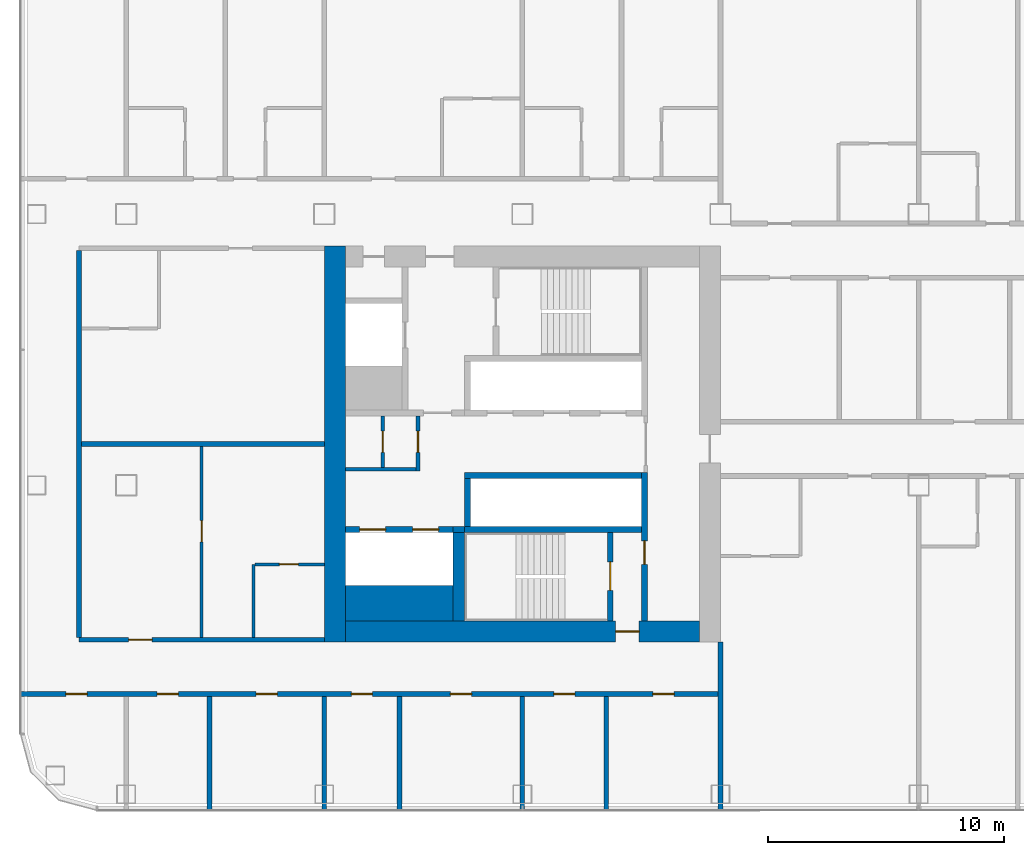
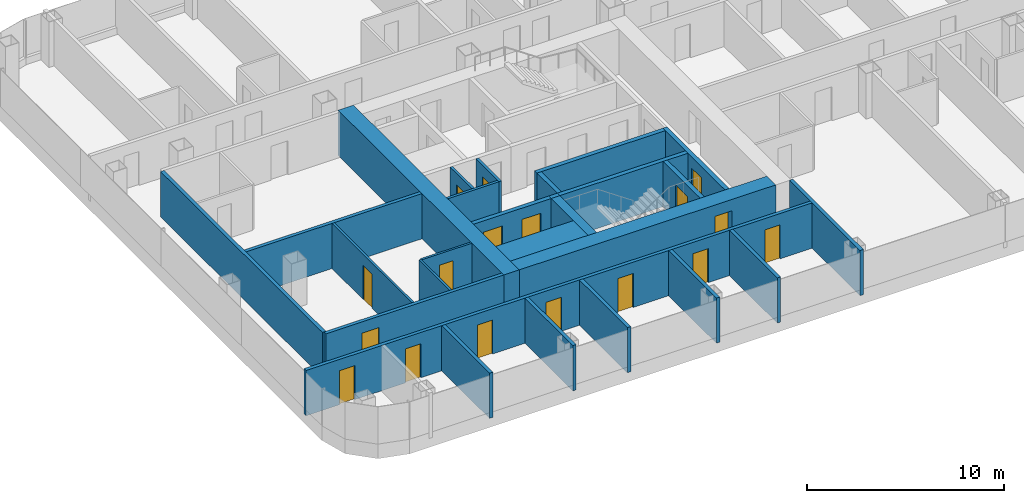
# One storey, part 15 of 29: 27 walls, 17 doors, 17 openings.
"""IFC4 building model written with IfcOpenShell, lengths in metres."""

import ifcopenshell
import ifcopenshell.guid

model = None  # the IFC model being written
_history = None  # IfcOwnerHistory: only IFC2X3 demands one
_inside = {}  # id of a spatial element -> (the spatial element, [elements in it])
_under = {}  # id of a project, library or spatial element -> (it, [spatial elements below it])
_declared = {}  # id of a project -> (the project, [libraries it declares])
_typed = {}  # id of a type object -> (the type object, [elements of that type])
_made_of = {}  # id of a material, layer set ... -> (it, [elements and type objects made of it])


def new_model(schema):
    """Start an empty IFC model of exactly this schema.

    Asked for "IFC4X3", IfcOpenShell would pick the latest addendum, in which some entities
    have other attributes; the version numbers below select the first issue.
    IFC2X3 requires an IfcOwnerHistory on every rooted entity: one is made here for all.
    """
    global model, _history
    if schema == "IFC4X3":
        model = ifcopenshell.file(schema_version=(4, 3, 0, 0))
    else:
        model = ifcopenshell.file(schema=schema)
    _inside.clear()
    _under.clear()
    _declared.clear()
    _typed.clear()
    _made_of.clear()
    _history = None
    if model.schema == "IFC2X3":
        org = make("IfcOrganization", Name="unknown")
        user = make(
            "IfcPersonAndOrganization",
            ThePerson=make("IfcPerson", FamilyName="unknown"),
            TheOrganization=org,
        )
        app = make(
            "IfcApplication",
            ApplicationDeveloper=org,
            Version="unknown",
            ApplicationFullName="unknown",
            ApplicationIdentifier="unknown",
        )
        _history = make(
            "IfcOwnerHistory",
            OwningUser=user,
            OwningApplication=app,
            ChangeAction="ADDED",
            CreationDate=0,
        )
    return model


def make(cls, **values):
    """One entity of the class cls with the attributes given. An attribute that is None is left unset."""
    return model.create_entity(
        cls, **{name: value for name, value in values.items() if value is not None}
    )


def rooted(cls, **values):
    """An entity with a GlobalId (a new one), such as an element, a storey or a relation."""
    return make(cls, GlobalId=ifcopenshell.guid.new(), OwnerHistory=_history, **values)


def si_unit(unit_type, name, prefix=None):
    """IfcSIUnit, for example si_unit("LENGTHUNIT", "METRE", prefix="MILLI")."""
    return make("IfcSIUnit", UnitType=unit_type, Prefix=prefix, Name=name)


def assignment(units):
    """IfcUnitAssignment: the units of a project."""
    return None if units is None else make("IfcUnitAssignment", Units=units)


def point(xyz):
    """IfcCartesianPoint."""
    return None if xyz is None else make("IfcCartesianPoint", Coordinates=xyz)


def direction(xyz):
    """IfcDirection."""
    return None if xyz is None else make("IfcDirection", DirectionRatios=xyz)


def frame(location, z_axis=None, x_axis=None):
    """IfcAxis2Placement3D, a coordinate frame: its origin and axes. An axis left out is left unset."""
    return make(
        "IfcAxis2Placement3D",
        Location=point(location),
        Axis=direction(z_axis),
        RefDirection=direction(x_axis),
    )


def frame_2d(location, x_axis=None):
    """IfcAxis2Placement2D, a coordinate frame in the plane: its origin and x axis."""
    return make(
        "IfcAxis2Placement2D", Location=point(location), RefDirection=direction(x_axis)
    )


def origin():
    """The frame at (0, 0, 0) with its axes left unset."""
    return frame((0.0, 0.0, 0.0))


def place(relative_to, where):
    """IfcLocalPlacement: puts the frame where relative to a parent placement (None: the world)."""
    return make(
        "IfcLocalPlacement", PlacementRelTo=relative_to, RelativePlacement=where
    )


def context(
    kind, dimensions, precision=None, world=None, true_north=None, identifier=None
):
    """IfcGeometricRepresentationContext, for example the 3D "Model" context."""
    return make(
        "IfcGeometricRepresentationContext",
        ContextIdentifier=identifier,
        ContextType=kind,
        CoordinateSpaceDimension=dimensions,
        Precision=precision,
        WorldCoordinateSystem=world,
        TrueNorth=true_north,
    )


def subcontext(parent, identifier, kind, view, scale=None):
    """IfcGeometricRepresentationSubContext, for example "Body" below "Model"."""
    return make(
        "IfcGeometricRepresentationSubContext",
        ContextIdentifier=identifier,
        ContextType=kind,
        ParentContext=parent,
        TargetScale=scale,
        TargetView=view,
    )


def project(units=None, contexts=None):
    """IfcProject with its units and contexts."""
    return rooted(
        "IfcProject",
        Name="project",
        RepresentationContexts=contexts,
        UnitsInContext=assignment(units),
    )


def spatial(cls, under=None, at=None, **own):
    """A site, building, storey or space (cls), placed at a placement, below another one or the project."""
    s = rooted(cls, ObjectPlacement=at, **own)
    if under is not None:
        _under.setdefault(under.id(), (under, []))[1].append(s)
    return s


def profile(cls, at=None, kind="AREA", **sizes):
    """A parametric profile (cls). Its sizes go by their IFC names, for example OverallWidth=200.0."""
    return make(cls, ProfileType=kind, Position=at, **sizes)


def rectangle(**sizes):
    """IfcRectangleProfileDef."""
    return profile("IfcRectangleProfileDef", **sizes)


def extrude(swept, where, along, depth):
    """IfcExtrudedAreaSolid: the profile swept, set in the frame where, extruded along a direction by depth."""
    return make(
        "IfcExtrudedAreaSolid",
        SweptArea=swept,
        Position=where,
        ExtrudedDirection=direction(along),
        Depth=depth,
    )


def shape(context_of_items, identifier, shape_type, items):
    """IfcShapeRepresentation: the items that make up one representation, for example the "Body"."""
    return make(
        "IfcShapeRepresentation",
        ContextOfItems=context_of_items,
        RepresentationIdentifier=identifier,
        RepresentationType=shape_type,
        Items=items,
    )


def material(Name=None, Category=None):
    """IfcMaterial."""
    return make("IfcMaterial", Name=Name, Category=Category)


def layer(
    of_material, thickness, ventilated=None, Name=None, Category=None, Priority=None
):
    """IfcMaterialLayer: one layer of a wall or slab, of a material (None: an air gap)."""
    return make(
        "IfcMaterialLayer",
        Material=of_material,
        LayerThickness=thickness,
        IsVentilated=ventilated,
        Name=Name,
        Category=Category,
        Priority=Priority,
    )


def layer_set(layers, Name=None):
    """IfcMaterialLayerSet."""
    return make("IfcMaterialLayerSet", MaterialLayers=layers, LayerSetName=Name)


def made_of(thing, what):
    """Note that an element or type object is made of a material, layer set ...; save() writes the relation."""
    if what is not None:
        _made_of.setdefault(what.id(), (what, []))[1].append(thing)
    return thing


def type_object(cls, material=None, **own):
    """A type object (cls), such as IfcWallType, which elements share."""
    return made_of(rooted(cls, **own), material)


def element(
    cls,
    number,
    at=None,
    inside=None,
    cuts=None,
    type_object=None,
    material=None,
    context=None,
    identifier="Body",
    shape_type=None,
    held_by="IfcProductDefinitionShape",
    body=None,
    shapes=None,
    **own,
):
    """One element of the class cls, such as IfcWall. Its Tag is "e" and its number.

    at: its placement. inside: the storey or other place that contains it. cuts: it is an
    opening in that element (IfcRelVoidsElement). A single representation is given by context,
    identifier, shape_type and body (its items); several are given by shapes. held_by: the class
    of the entity that holds the representations. save() writes the other relations.
    """
    e = rooted(cls, Tag="e%d" % number, ObjectPlacement=at, **own)
    if body is not None:
        shapes = [shape(context, identifier, shape_type, body)]
    if shapes is not None:
        e.Representation = make(held_by, Representations=shapes)
    if inside is not None:
        _inside.setdefault(inside.id(), (inside, []))[1].append(e)
    if cuts is not None:
        rooted(
            "IfcRelVoidsElement", RelatingBuildingElement=cuts, RelatedOpeningElement=e
        )
    if type_object is not None:
        _typed.setdefault(type_object.id(), (type_object, []))[1].append(e)
    return made_of(e, material)


def fill(opening, filler):
    """IfcRelFillsElement: the door or window that sits in an opening."""
    return rooted(
        "IfcRelFillsElement",
        RelatingOpeningElement=opening,
        RelatedBuildingElement=filler,
    )


def aggregate(whole, parts):
    """IfcRelAggregates: a whole, such as a stair, and the parts it consists of."""
    return rooted("IfcRelAggregates", RelatingObject=whole, RelatedObjects=parts)


def save(model, path):
    """Write the relations noted so far, then the file.

    IfcRelAggregates (storeys below a building ...), IfcRelContainedInSpatialStructure (elements
    in a storey), IfcRelDefinesByType, IfcRelAssociatesMaterial and IfcRelDeclares: one each for
    every whole, place, type object, material and project.
    """
    for whole, parts in _under.values():
        aggregate(whole, parts)
    for where, things in _inside.values():
        rooted(
            "IfcRelContainedInSpatialStructure",
            RelatedElements=things,
            RelatingStructure=where,
        )
    for kind, things in _typed.values():
        rooted("IfcRelDefinesByType", RelatedObjects=things, RelatingType=kind)
    for what, things in _made_of.values():
        rooted("IfcRelAssociatesMaterial", RelatedObjects=things, RelatingMaterial=what)
    for by, libraries in _declared.values():
        rooted("IfcRelDeclares", RelatingContext=by, RelatedDefinitions=libraries)
    model.write(path)


model = new_model("IFC4")

# Units and contexts
model_context = context("Model", 3, precision=1e-05, world=origin(), true_north=direction((0.0, 1.0)))
body_context = subcontext(model_context, "Body", "Model", "MODEL_VIEW")
ifc_project = project(units=[si_unit("LENGTHUNIT", "METRE"), si_unit("AREAUNIT", "SQUARE_METRE"), si_unit("VOLUMEUNIT", "CUBIC_METRE"), si_unit("PLANEANGLEUNIT", "RADIAN"), si_unit("MASSUNIT", "GRAM", prefix="KILO")], contexts=[model_context])

# Site, building, storey
site_placement = place(None, origin())
site = spatial("IfcSite", under=ifc_project, at=site_placement, CompositionType="ELEMENT")
building_placement = place(site_placement, origin())
building = spatial("IfcBuilding", under=site, at=building_placement, Name="Hakoniwa Tower and Hamabe Station Hall", CompositionType="ELEMENT")
storey_placement = place(building_placement, frame((0.0, 0.0, 97.800048828125)))
storey = spatial("IfcBuildingStorey", under=building, at=storey_placement, Name="L27", CompositionType="ELEMENT", Elevation=97.800048828125)

# Wall, opening, door
ifc_material_1 = material(Name="Gypsum board partition", Category="gypsum")
ifc_layer_1 = layer(ifc_material_1, 0.125)
ifc_layer_set_1 = layer_set([ifc_layer_1], Name="Bathroom Partition 125")
wall_type_1 = type_object("IfcWallType", Name="Bathroom Partition 125", PredefinedType="PARTITIONING", material=ifc_layer_set_1)
wall_1_placement = place(storey_placement, frame((-36.53759765625, -5.10009765625, 0.0), z_axis=(0.0, 0.0, 1.0), x_axis=(1.0, 0.0, 0.0)))
wall_1 = element("IfcWall", 1, at=wall_1_placement, inside=storey, type_object=wall_type_1, Name="GW-L27-005", PredefinedType="PARTITIONING", context=body_context, shape_type="SweptSolid", body=[
    extrude(rectangle(XDim=2.9375, YDim=0.125, at=frame_2d((1.46875, 0.0))), origin(), (0.0, 0.0, 1.0), 2.800048828125),
])
opening_1_placement = place(wall_1_placement, frame((1.03759765625, 0.0, 0.0)))
opening_1 = element("IfcOpeningElement", 2, at=opening_1_placement, cuts=wall_1, Name="Opening GD-G2C1-17", PredefinedType="OPENING", context=body_context, shape_type="SweptSolid", body=[
    extrude(rectangle(XDim=0.800048828125, YDim=2.10009765625, at=frame_2d((0.39990234375, 1.050048828125))), frame((0.0, 0.072509765625, 0.0), z_axis=(0.0, -1.0, 0.0), x_axis=(1.0, 0.0, 0.0)), (0.0, 0.0, 1.0), 0.14501953125),
])
ifc_material_2 = material(Name="Timber door leaf", Category="wood")
door_type_1 = type_object("IfcDoorType", Name="Bathroom Door 800", OperationType="SINGLE_SWING_LEFT", PredefinedType="DOOR", material=ifc_material_2)
door_1_placement = place(opening_1_placement, origin())
door_1 = element("IfcDoor", 3, at=door_1_placement, inside=storey, type_object=door_type_1, Name="Door GD-G2C1-17", OperationType="SINGLE_SWING_LEFT", OverallHeight=2.10009765625, OverallWidth=0.800048828125, PredefinedType="DOOR", context=body_context, shape_type="SweptSolid", body=[
    extrude(rectangle(XDim=0.800048828125, YDim=2.10009765625, at=frame_2d((0.39990234375, 1.050048828125))), frame((0.0, 0.02490234375, 0.0), z_axis=(0.0, -1.0, 0.0), x_axis=(1.0, 0.0, 0.0)), (0.0, 0.0, 1.0), 0.050048828125),
])
fill(opening_1, door_1)

# Wall
wall_2_placement = place(storey_placement, frame((-36.60009765625, -8.199951171875, 0.0), z_axis=(0.0, 0.0, 1.0), x_axis=(0.0, 1.0, 0.0)))
element("IfcWall", 4, at=wall_2_placement, inside=storey, type_object=wall_type_1, Name="GW-L27-044", PredefinedType="PARTITIONING", context=body_context, shape_type="SweptSolid", body=[
    extrude(rectangle(XDim=3.099853515625, YDim=0.125, at=frame_2d((1.5498046875, 0.0))), origin(), (0.0, 0.0, 1.0), 2.800048828125),
])

# Wall, opening, door
ifc_material_3 = material(Name="Gypsum board partition")
ifc_layer_2 = layer(ifc_material_3, 0.14990234375)
ifc_layer_set_2 = layer_set([ifc_layer_2], Name="CORE PARTITION 150 EI 60")
wall_type_2 = type_object("IfcWallType", Name="CORE PARTITION 150 EI 60", PredefinedType="PARTITIONING", material=ifc_layer_set_2)
wall_3_placement = place(storey_placement, frame((-29.625, -1.14990234375, 0.0), z_axis=(0.0, 0.0, 1.0), x_axis=(0.0, 1.0, 0.0)))
wall_3 = element("IfcWall", 5, at=wall_3_placement, inside=storey, type_object=wall_type_2, Name="Core partition PW0 west", PredefinedType="PARTITIONING", context=body_context, shape_type="SweptSolid", body=[
    extrude(rectangle(XDim=2.349853515625, YDim=0.14990234375, at=frame_2d((1.1748046875, 0.0))), origin(), (0.0, 0.0, 1.0), 2.800048828125),
])
opening_2_placement = place(wall_3_placement, frame((0.800048828125, 0.0, 0.0)))
opening_2 = element("IfcOpeningElement", 6, at=opening_2_placement, cuts=wall_3, Name="Opening CD-W-RM1-9", PredefinedType="OPENING", context=body_context, shape_type="SweptSolid", body=[
    extrude(rectangle(XDim=0.89990234375, YDim=2.10009765625, at=frame_2d((0.449951171875, 1.050048828125))), frame((0.0, 0.0849609375, 0.0), z_axis=(0.0, -1.0, 0.0), x_axis=(1.0, 0.0, 0.0)), (0.0, 0.0, 1.0), 0.169921875),
])
ifc_material_4 = material(Name="Steel fire door", Category="steel")
door_type_2 = type_object("IfcDoorType", Name="CORE DOOR 900 FD30", OperationType="NOTDEFINED", PredefinedType="DOOR", material=ifc_material_4)
door_2_placement = place(opening_2_placement, origin())
door_2 = element("IfcDoor", 7, at=door_2_placement, inside=storey, type_object=door_type_2, Name="Store room door", OperationType="SINGLE_SWING_LEFT", OverallHeight=2.10009765625, OverallWidth=0.89990234375, PredefinedType="DOOR", context=body_context, shape_type="SweptSolid", body=[
    extrude(rectangle(XDim=0.89990234375, YDim=2.10009765625, at=frame_2d((0.449951171875, 1.050048828125))), frame((0.0, 0.02490234375, 0.0), z_axis=(0.0, -1.0, 0.0), x_axis=(1.0, 0.0, 0.0)), (0.0, 0.0, 1.0), 0.050048828125),
])
fill(opening_2, door_2)

# Wall
wall_4_placement = place(storey_placement, frame((-32.699951171875, -1.074951171875, 0.0), z_axis=(0.0, 0.0, 1.0), x_axis=(1.0, 0.0, 0.0)))
element("IfcWall", 8, at=wall_4_placement, inside=storey, type_object=wall_type_2, Name="Core partition PS west", PredefinedType="PARTITIONING", context=body_context, shape_type="SweptSolid", body=[
    extrude(rectangle(XDim=3.0, YDim=0.14990234375, at=frame_2d((1.5, 0.0))), origin(), (0.0, 0.0, 1.0), 2.800048828125),
])

# Wall, opening, door
wall_5_placement = place(storey_placement, frame((-31.125, -1.0, 0.0), z_axis=(0.0, 0.0, 1.0), x_axis=(0.0, 1.0, 0.0)))
wall_5 = element("IfcWall", 9, at=wall_5_placement, inside=storey, type_object=wall_type_2, Name="Core partition PW1 west", PredefinedType="PARTITIONING", context=body_context, shape_type="SweptSolid", body=[
    extrude(rectangle(XDim=2.199951171875, YDim=0.14990234375, at=frame_2d((1.10009765625, 0.0))), origin(), (0.0, 0.0, 1.0), 2.800048828125),
])
opening_3_placement = place(wall_5_placement, frame((0.64990234375, 0.0, 0.0)))
opening_3 = element("IfcOpeningElement", 10, at=opening_3_placement, cuts=wall_5, Name="Opening CD-W-RM2-9", PredefinedType="OPENING", context=body_context, shape_type="SweptSolid", body=[
    extrude(rectangle(XDim=0.89990234375, YDim=2.10009765625, at=frame_2d((0.449951171875, 1.050048828125))), frame((0.0, 0.0849609375, 0.0), z_axis=(0.0, -1.0, 0.0), x_axis=(1.0, 0.0, 0.0)), (0.0, 0.0, 1.0), 0.169921875),
])
door_3_placement = place(opening_3_placement, origin())
door_3 = element("IfcDoor", 11, at=door_3_placement, inside=storey, type_object=door_type_2, Name="Store room door", OperationType="SINGLE_SWING_LEFT", OverallHeight=2.10009765625, OverallWidth=0.89990234375, PredefinedType="DOOR", context=body_context, shape_type="SweptSolid", body=[
    extrude(rectangle(XDim=0.89990234375, YDim=2.10009765625, at=frame_2d((0.449951171875, 1.050048828125))), frame((0.0, 0.02490234375, 0.0), z_axis=(0.0, -1.0, 0.0), x_axis=(1.0, 0.0, 0.0)), (0.0, 0.0, 1.0), 0.050048828125),
])
fill(opening_3, door_3)

# Wall
ifc_material_5 = material(Name="Concrete C72", Category="concrete")
ifc_layer_3 = layer(ifc_material_5, 0.89990234375)
ifc_layer_set_3 = layer_set([ifc_layer_3], Name="CORE WALL 900 C72")
wall_type_3 = type_object("IfcWallType", Name="CORE WALL 900 C72", PredefinedType="SHEAR", material=ifc_layer_set_3)
wall_6_placement = place(storey_placement, frame((-33.14990234375, -8.39990234375, 0.0), z_axis=(0.0, 0.0, 1.0), x_axis=(0.0, 1.0, 0.0)))
element("IfcWall", 12, at=wall_6_placement, inside=storey, type_object=wall_type_3, Name="Core wall OUTER west", PredefinedType="SHEAR", context=body_context, shape_type="SweptSolid", body=[
    extrude(rectangle(XDim=16.7998046875, YDim=0.89990234375, at=frame_2d((8.39990234375, 0.0))), origin(), (0.0, 0.0, 1.0), 2.800048828125),
])

# Wall, opening, door
wall_7_placement = place(storey_placement, frame((-32.699951171875, -7.949951171875, 0.0), z_axis=(0.0, 0.0, 1.0), x_axis=(1.0, 0.0, 0.0)))
wall_7 = element("IfcWall", 13, at=wall_7_placement, inside=storey, type_object=wall_type_3, Name="Core wall SOUTH west", PredefinedType="SHEAR", context=body_context, shape_type="SweptSolid", body=[
    extrude(rectangle(XDim=15.0, YDim=0.89990234375, at=frame_2d((7.5, 0.0))), origin(), (0.0, 0.0, 1.0), 2.800048828125),
])
opening_4_placement = place(wall_7_placement, frame((11.449951171875, 0.0, 0.0)))
opening_4 = element("IfcOpeningElement", 14, at=opening_4_placement, cuts=wall_7, Name="Opening CD-W-FS3-10", PredefinedType="OPENING", context=body_context, shape_type="SweptSolid", body=[
    extrude(rectangle(XDim=1.0, YDim=2.10009765625, at=frame_2d((0.5, 1.050048828125))), frame((0.0, 0.4599609375, 0.0), z_axis=(0.0, -1.0, 0.0), x_axis=(1.0, 0.0, 0.0)), (0.0, 0.0, 1.0), 0.919921875),
])
ifc_material_6 = material(Name="Steel fire door", Category="steel")
door_type_3 = type_object("IfcDoorType", Name="CORE DOOR 1000 FD60", OperationType="NOTDEFINED", PredefinedType="DOOR", material=ifc_material_6)
door_4_placement = place(opening_4_placement, origin())
door_4 = element("IfcDoor", 15, at=door_4_placement, inside=storey, type_object=door_type_3, Name="Stair vestibule door", OperationType="SINGLE_SWING_LEFT", OverallHeight=2.10009765625, OverallWidth=1.0, PredefinedType="DOOR", context=body_context, shape_type="SweptSolid", body=[
    extrude(rectangle(XDim=1.0, YDim=2.10009765625, at=frame_2d((0.5, 1.050048828125))), frame((0.0, 0.02490234375, 0.0), z_axis=(0.0, -1.0, 0.0), x_axis=(1.0, 0.0, 0.0)), (0.0, 0.0, 1.0), 0.050048828125),
])
fill(opening_4, door_4)

# Wall
ifc_material_7 = material(Name="Concrete C72", Category="concrete")
ifc_layer_4 = layer(ifc_material_7, 1.5)
ifc_layer_set_4 = layer_set([ifc_layer_4], Name="CORE WEB WALL 1500 C72")
wall_type_4 = type_object("IfcWallType", Name="CORE WEB WALL 1500 C72", PredefinedType="SHEAR", material=ifc_layer_set_4)
wall_8_placement = place(storey_placement, frame((-32.699951171875, -6.75, 0.0), z_axis=(0.0, 0.0, 1.0), x_axis=(1.0, 0.0, 0.0)))
element("IfcWall", 16, at=wall_8_placement, inside=storey, type_object=wall_type_4, Name="Core wall SER west", PredefinedType="SHEAR", context=body_context, shape_type="SweptSolid", body=[
    extrude(rectangle(XDim=4.550048828125, YDim=1.5, at=frame_2d((2.27490234375, 0.0))), origin(), (0.0, 0.0, 1.0), 2.800048828125),
])

# Wall, opening, door
ifc_material_8 = material(Name="Concrete C72", Category="concrete")
ifc_layer_5 = layer(ifc_material_8, 0.25)
ifc_layer_set_5 = layer_set([ifc_layer_5], Name="CORE WEB WALL 250 C72")
wall_type_5 = type_object("IfcWallType", Name="CORE WEB WALL 250 C72", PredefinedType="SHEAR", material=ifc_layer_set_5)
wall_9_placement = place(storey_placement, frame((-20.02490234375, -7.5, 0.0), z_axis=(0.0, 0.0, 1.0), x_axis=(0.0, 1.0, 0.0)))
wall_9 = element("IfcWall", 17, at=wall_9_placement, inside=storey, type_object=wall_type_5, Name="Core wall W1S west", PredefinedType="SHEAR", context=body_context, shape_type="SweptSolid", body=[
    extrude(rectangle(XDim=6.300048828125, YDim=0.25, at=frame_2d((3.14990234375, 0.0))), origin(), (0.0, 0.0, 1.0), 2.800048828125),
])
opening_5_placement = place(wall_9_placement, frame((2.39990234375, 0.0, 0.0)))
opening_5 = element("IfcOpeningElement", 18, at=opening_5_placement, cuts=wall_9, Name="Opening CD-W-VS-10", PredefinedType="OPENING", context=body_context, shape_type="SweptSolid", body=[
    extrude(rectangle(XDim=1.0, YDim=2.10009765625, at=frame_2d((0.5, 1.050048828125))), frame((0.0, 0.135009765625, 0.0), z_axis=(0.0, -1.0, 0.0), x_axis=(1.0, 0.0, 0.0)), (0.0, 0.0, 1.0), 0.27001953125),
])
door_5_placement = place(opening_5_placement, origin())
door_5 = element("IfcDoor", 19, at=door_5_placement, inside=storey, type_object=door_type_3, Name="Stair vestibule door", OperationType="SINGLE_SWING_LEFT", OverallHeight=2.10009765625, OverallWidth=1.0, PredefinedType="DOOR", context=body_context, shape_type="SweptSolid", body=[
    extrude(rectangle(XDim=1.0, YDim=2.10009765625, at=frame_2d((0.5, 1.050048828125))), frame((0.0, 0.02490234375, 0.0), z_axis=(0.0, -1.0, 0.0), x_axis=(1.0, 0.0, 0.0)), (0.0, 0.0, 1.0), 0.050048828125),
])
fill(opening_5, door_5)

# Walls
wall_10_placement = place(storey_placement, frame((-27.64990234375, -1.324951171875, 0.0), z_axis=(0.0, 0.0, 1.0), x_axis=(1.0, 0.0, 0.0)))
element("IfcWall", 20, at=wall_10_placement, inside=storey, type_object=wall_type_5, Name="Core wall SF west", PredefinedType="SHEAR", context=body_context, shape_type="SweptSolid", body=[
    extrude(rectangle(XDim=7.5, YDim=0.25, at=frame_2d((3.75, 0.0))), origin(), (0.0, 0.0, 1.0), 2.800048828125),
])
wall_11_placement = place(storey_placement, frame((-27.52490234375, -3.5, 0.0), z_axis=(0.0, 0.0, 1.0), x_axis=(0.0, 1.0, 0.0)))
element("IfcWall", 21, at=wall_11_placement, inside=storey, type_object=wall_type_5, Name="Core wall SE west", PredefinedType="SHEAR", context=body_context, shape_type="SweptSolid", body=[
    extrude(rectangle(XDim=2.050048828125, YDim=0.25, at=frame_2d((1.02490234375, 0.0))), origin(), (0.0, 0.0, 1.0), 2.800048828125),
])
wall_12_placement = place(storey_placement, frame((-27.64990234375, -3.625, 0.0), z_axis=(0.0, 0.0, 1.0), x_axis=(1.0, 0.0, 0.0)))
element("IfcWall", 22, at=wall_12_placement, inside=storey, type_object=wall_type_5, Name="Core wall SR west", PredefinedType="SHEAR", context=body_context, shape_type="SweptSolid", body=[
    extrude(rectangle(XDim=7.5, YDim=0.25, at=frame_2d((3.75, 0.0))), origin(), (0.0, 0.0, 1.0), 2.800048828125),
])

# Wall, opening, door
wall_13_placement = place(storey_placement, frame((-21.47509765625, -7.5, 0.0), z_axis=(0.0, 0.0, 1.0), x_axis=(0.0, 1.0, 0.0)))
wall_13 = element("IfcWall", 23, at=wall_13_placement, inside=storey, type_object=wall_type_5, Name="Core wall VE west", PredefinedType="SHEAR", context=body_context, shape_type="SweptSolid", body=[
    extrude(rectangle(XDim=3.75, YDim=0.25, at=frame_2d((1.875, 0.0))), origin(), (0.0, 0.0, 1.0), 2.800048828125),
])
opening_6_placement = place(wall_13_placement, frame((1.300048828125, 0.0, 0.0)))
opening_6 = element("IfcOpeningElement", 24, at=opening_6_placement, cuts=wall_13, Name="Opening CD-W-SS-12", PredefinedType="OPENING", context=body_context, shape_type="SweptSolid", body=[
    extrude(rectangle(XDim=1.199951171875, YDim=2.10009765625, at=frame_2d((0.60009765625, 1.050048828125))), frame((0.0, 0.135009765625, 0.0), z_axis=(0.0, -1.0, 0.0), x_axis=(1.0, 0.0, 0.0)), (0.0, 0.0, 1.0), 0.27001953125),
])
ifc_material_9 = material(Name="Steel fire door", Category="steel")
door_type_4 = type_object("IfcDoorType", Name="CORE DOOR 1200 FD60", OperationType="DOUBLE_DOOR_SINGLE_SWING", PredefinedType="DOOR", material=ifc_material_9)
door_6_placement = place(opening_6_placement, origin())
door_6 = element("IfcDoor", 25, at=door_6_placement, inside=storey, type_object=door_type_4, Name="Escape stair door", OperationType="DOUBLE_DOOR_SINGLE_SWING", OverallHeight=2.10009765625, OverallWidth=1.199951171875, PredefinedType="DOOR", context=body_context, shape_type="SweptSolid", body=[
    extrude(rectangle(XDim=1.199951171875, YDim=2.10009765625, at=frame_2d((0.60009765625, 1.050048828125))), frame((0.0, 0.02490234375, 0.0), z_axis=(0.0, -1.0, 0.0), x_axis=(1.0, 0.0, 0.0)), (0.0, 0.0, 1.0), 0.050048828125),
])
fill(opening_6, door_6)

# Wall, openings, doors
wall_14_placement = place(storey_placement, frame((-32.699951171875, -3.625, 0.0), z_axis=(0.0, 0.0, 1.0), x_axis=(1.0, 0.0, 0.0)))
wall_14 = element("IfcWall", 26, at=wall_14_placement, inside=storey, type_object=wall_type_5, Name="Core wall SEF west", PredefinedType="SHEAR", context=body_context, shape_type="SweptSolid", body=[
    extrude(rectangle(XDim=4.550048828125, YDim=0.25, at=frame_2d((2.27490234375, 0.0))), origin(), (0.0, 0.0, 1.0), 2.800048828125),
])
opening_7_placement = place(wall_14_placement, frame((2.85009765625, 0.0, 0.0)))
opening_7 = element("IfcOpeningElement", 27, at=opening_7_placement, cuts=wall_14, Name="Opening LD-SV1", PredefinedType="OPENING", context=body_context, shape_type="SweptSolid", body=[
    extrude(rectangle(XDim=1.10009765625, YDim=2.10009765625, at=frame_2d((0.550048828125, 1.050048828125))), frame((0.0, 0.135009765625, 0.0), z_axis=(0.0, -1.0, 0.0), x_axis=(1.0, 0.0, 0.0)), (0.0, 0.0, 1.0), 0.27001953125),
])
opening_8_placement = place(wall_14_placement, frame((0.60009765625, 0.0, 0.0)))
opening_8 = element("IfcOpeningElement", 28, at=opening_8_placement, cuts=wall_14, Name="Opening LD-SV2", PredefinedType="OPENING", context=body_context, shape_type="SweptSolid", body=[
    extrude(rectangle(XDim=1.10009765625, YDim=2.10009765625, at=frame_2d((0.550048828125, 1.050048828125))), frame((0.0, 0.135009765625, 0.0), z_axis=(0.0, -1.0, 0.0), x_axis=(1.0, 0.0, 0.0)), (0.0, 0.0, 1.0), 0.27001953125),
])
ifc_material_10 = material(Name="Stainless steel SUS304", Category="steel")
door_type_5 = type_object("IfcDoorType", Name="LIFT LANDING DOOR 1100 FD60", OperationType="DOUBLE_DOOR_SLIDING", PredefinedType="DOOR", material=ifc_material_10)
door_7_placement = place(opening_7_placement, origin())
door_7 = element("IfcDoor", 29, at=door_7_placement, inside=storey, type_object=door_type_5, Name="Lift landing door SV1 L27", OperationType="DOUBLE_DOOR_SLIDING", OverallHeight=2.10009765625, OverallWidth=1.10009765625, PredefinedType="DOOR", context=body_context, shape_type="SweptSolid", body=[
    extrude(rectangle(XDim=1.10009765625, YDim=2.10009765625, at=frame_2d((0.550048828125, 1.050048828125))), frame((0.0, 0.02490234375, 0.0), z_axis=(0.0, -1.0, 0.0), x_axis=(1.0, 0.0, 0.0)), (0.0, 0.0, 1.0), 0.050048828125),
])
fill(opening_7, door_7)
door_8_placement = place(opening_8_placement, origin())
door_8 = element("IfcDoor", 30, at=door_8_placement, inside=storey, type_object=door_type_5, Name="Lift landing door SV2 L27", OperationType="DOUBLE_DOOR_SLIDING", OverallHeight=2.10009765625, OverallWidth=1.10009765625, PredefinedType="DOOR", context=body_context, shape_type="SweptSolid", body=[
    extrude(rectangle(XDim=1.10009765625, YDim=2.10009765625, at=frame_2d((0.550048828125, 1.050048828125))), frame((0.0, 0.02490234375, 0.0), z_axis=(0.0, -1.0, 0.0), x_axis=(1.0, 0.0, 0.0)), (0.0, 0.0, 1.0), 0.050048828125),
])
fill(opening_8, door_8)

# Walls
wall_15_placement = place(storey_placement, frame((-28.14990234375, -3.625, 0.0), z_axis=(0.0, 0.0, 1.0), x_axis=(1.0, 0.0, 0.0)))
element("IfcWall", 31, at=wall_15_placement, inside=storey, type_object=wall_type_5, Name="Core wall SRK west", PredefinedType="SHEAR", context=body_context, shape_type="SweptSolid", body=[
    extrude(rectangle(XDim=0.5, YDim=0.25, at=frame_2d((0.25, 0.0))), origin(), (0.0, 0.0, 1.0), 2.800048828125),
])
ifc_material_11 = material(Name="Concrete C72", Category="concrete")
ifc_layer_6 = layer(ifc_material_11, 0.5)
ifc_layer_set_6 = layer_set([ifc_layer_6], Name="CORE WEB WALL 500 C72")
wall_type_6 = type_object("IfcWallType", Name="CORE WEB WALL 500 C72", PredefinedType="SHEAR", material=ifc_layer_set_6)
wall_16_placement = place(storey_placement, frame((-27.89990234375, -7.5, 0.0), z_axis=(0.0, 0.0, 1.0), x_axis=(0.0, 1.0, 0.0)))
element("IfcWall", 32, at=wall_16_placement, inside=storey, type_object=wall_type_6, Name="Core wall SSE west", PredefinedType="SHEAR", context=body_context, shape_type="SweptSolid", body=[
    extrude(rectangle(XDim=3.75, YDim=0.5, at=frame_2d((1.875, 0.0))), origin(), (0.0, 0.0, 1.0), 2.800048828125),
])

# Wall, openings, doors
ifc_material_12 = material(Name="Fire-rated gypsum board partition", Category="gypsum")
ifc_layer_7 = layer(ifc_material_12, 0.199951171875)
ifc_layer_set_7 = layer_set([ifc_layer_7], Name="Corridor Wall 200")
wall_type_7 = type_object("IfcWallType", Name="Corridor Wall 200", PredefinedType="PARTITIONING", material=ifc_layer_set_7)
wall_17_placement = place(storey_placement, frame((-46.5, -10.60009765625, 0.0), z_axis=(0.0, 0.0, 1.0), x_axis=(1.0, 0.0, 0.0)))
wall_17 = element("IfcWall", 33, at=wall_17_placement, inside=storey, type_object=wall_type_7, Name="GW-L27-001", PredefinedType="PARTITIONING", context=body_context, shape_type="SweptSolid", body=[
    extrude(rectangle(XDim=29.699951171875, YDim=0.199951171875, at=frame_2d((14.85009765625, 0.0))), origin(), (0.0, 0.0, 1.0), 2.800048828125),
])
opening_9_placement = place(wall_17_placement, frame((1.949951171875, 0.0, 0.0)))
opening_9 = element("IfcOpeningElement", 34, at=opening_9_placement, cuts=wall_17, Name="Opening GD-G2C1-01", PredefinedType="OPENING", context=body_context, shape_type="SweptSolid", body=[
    extrude(rectangle(XDim=0.89990234375, YDim=2.10009765625, at=frame_2d((0.449951171875, 1.050048828125))), frame((0.0, 0.10986328125, 0.0), z_axis=(0.0, -1.0, 0.0), x_axis=(1.0, 0.0, 0.0)), (0.0, 0.0, 1.0), 0.219970703125),
])
opening_10_placement = place(wall_17_placement, frame((5.81494140625, 0.0, 0.0)))
opening_10 = element("IfcOpeningElement", 35, at=opening_10_placement, cuts=wall_17, Name="Opening GD-G2C1-02", PredefinedType="OPENING", context=body_context, shape_type="SweptSolid", body=[
    extrude(rectangle(XDim=0.89990234375, YDim=2.10009765625, at=frame_2d((0.449951171875, 1.050048828125))), frame((0.0, 0.10986328125, 0.0), z_axis=(0.0, -1.0, 0.0), x_axis=(1.0, 0.0, 0.0)), (0.0, 0.0, 1.0), 0.219970703125),
])
opening_11_placement = place(wall_17_placement, frame((10.014892578125, 0.0, 0.0)))
opening_11 = element("IfcOpeningElement", 36, at=opening_11_placement, cuts=wall_17, Name="Opening GD-G2C1-03", PredefinedType="OPENING", context=body_context, shape_type="SweptSolid", body=[
    extrude(rectangle(XDim=0.89990234375, YDim=2.10009765625, at=frame_2d((0.449951171875, 1.050048828125))), frame((0.0, 0.10986328125, 0.0), z_axis=(0.0, -1.0, 0.0), x_axis=(1.0, 0.0, 0.0)), (0.0, 0.0, 1.0), 0.219970703125),
])
opening_12_placement = place(wall_17_placement, frame((14.044921875, 0.0, 0.0)))
opening_12 = element("IfcOpeningElement", 37, at=opening_12_placement, cuts=wall_17, Name="Opening GD-G2C1-04", PredefinedType="OPENING", context=body_context, shape_type="SweptSolid", body=[
    extrude(rectangle(XDim=0.89990234375, YDim=2.10009765625, at=frame_2d((0.449951171875, 1.050048828125))), frame((0.0, 0.10986328125, 0.0), z_axis=(0.0, -1.0, 0.0), x_axis=(1.0, 0.0, 0.0)), (0.0, 0.0, 1.0), 0.219970703125),
])
opening_13_placement = place(wall_17_placement, frame((18.2451171875, 0.0, 0.0)))
opening_13 = element("IfcOpeningElement", 38, at=opening_13_placement, cuts=wall_17, Name="Opening GD-G2C1-05", PredefinedType="OPENING", context=body_context, shape_type="SweptSolid", body=[
    extrude(rectangle(XDim=0.89990234375, YDim=2.10009765625, at=frame_2d((0.449951171875, 1.050048828125))), frame((0.0, 0.10986328125, 0.0), z_axis=(0.0, -1.0, 0.0), x_axis=(1.0, 0.0, 0.0)), (0.0, 0.0, 1.0), 0.219970703125),
])
opening_14_placement = place(wall_17_placement, frame((22.6298828125, 0.0, 0.0)))
opening_14 = element("IfcOpeningElement", 39, at=opening_14_placement, cuts=wall_17, Name="Opening GD-G2C1-06", PredefinedType="OPENING", context=body_context, shape_type="SweptSolid", body=[
    extrude(rectangle(XDim=0.89990234375, YDim=2.10009765625, at=frame_2d((0.449951171875, 1.050048828125))), frame((0.0, 0.10986328125, 0.0), z_axis=(0.0, -1.0, 0.0), x_axis=(1.0, 0.0, 0.0)), (0.0, 0.0, 1.0), 0.219970703125),
])
opening_15_placement = place(wall_17_placement, frame((26.830078125, 0.0, 0.0)))
opening_15 = element("IfcOpeningElement", 40, at=opening_15_placement, cuts=wall_17, Name="Opening GD-G2C1-07", PredefinedType="OPENING", context=body_context, shape_type="SweptSolid", body=[
    extrude(rectangle(XDim=0.89990234375, YDim=2.10009765625, at=frame_2d((0.449951171875, 1.050048828125))), frame((0.0, 0.10986328125, 0.0), z_axis=(0.0, -1.0, 0.0), x_axis=(1.0, 0.0, 0.0)), (0.0, 0.0, 1.0), 0.219970703125),
])
ifc_material_13 = material(Name="Timber door leaf", Category="wood")
door_type_6 = type_object("IfcDoorType", Name="Service Door 900", OperationType="SINGLE_SWING_LEFT", PredefinedType="DOOR", material=ifc_material_13)
door_9_placement = place(opening_9_placement, origin())
door_9 = element("IfcDoor", 41, at=door_9_placement, inside=storey, type_object=door_type_6, Name="Door GD-G2C1-01", OperationType="SINGLE_SWING_RIGHT", OverallHeight=2.10009765625, OverallWidth=0.89990234375, PredefinedType="DOOR", context=body_context, shape_type="SweptSolid", body=[
    extrude(rectangle(XDim=0.89990234375, YDim=2.10009765625, at=frame_2d((0.449951171875, 1.050048828125))), frame((0.0, 0.02490234375, 0.0), z_axis=(0.0, -1.0, 0.0), x_axis=(1.0, 0.0, 0.0)), (0.0, 0.0, 1.0), 0.050048828125),
])
fill(opening_9, door_9)
door_10_placement = place(opening_10_placement, origin())
door_10 = element("IfcDoor", 42, at=door_10_placement, inside=storey, type_object=door_type_6, Name="Door GD-G2C1-02", OperationType="SINGLE_SWING_RIGHT", OverallHeight=2.10009765625, OverallWidth=0.89990234375, PredefinedType="DOOR", context=body_context, shape_type="SweptSolid", body=[
    extrude(rectangle(XDim=0.89990234375, YDim=2.10009765625, at=frame_2d((0.449951171875, 1.050048828125))), frame((0.0, 0.02490234375, 0.0), z_axis=(0.0, -1.0, 0.0), x_axis=(1.0, 0.0, 0.0)), (0.0, 0.0, 1.0), 0.050048828125),
])
fill(opening_10, door_10)
door_11_placement = place(opening_11_placement, origin())
door_11 = element("IfcDoor", 43, at=door_11_placement, inside=storey, type_object=door_type_6, Name="Door GD-G2C1-03", OperationType="SINGLE_SWING_LEFT", OverallHeight=2.10009765625, OverallWidth=0.89990234375, PredefinedType="DOOR", context=body_context, shape_type="SweptSolid", body=[
    extrude(rectangle(XDim=0.89990234375, YDim=2.10009765625, at=frame_2d((0.449951171875, 1.050048828125))), frame((0.0, 0.02490234375, 0.0), z_axis=(0.0, -1.0, 0.0), x_axis=(1.0, 0.0, 0.0)), (0.0, 0.0, 1.0), 0.050048828125),
])
fill(opening_11, door_11)
door_12_placement = place(opening_12_placement, origin())
door_12 = element("IfcDoor", 44, at=door_12_placement, inside=storey, type_object=door_type_6, Name="Door GD-G2C1-04", OperationType="SINGLE_SWING_RIGHT", OverallHeight=2.10009765625, OverallWidth=0.89990234375, PredefinedType="DOOR", context=body_context, shape_type="SweptSolid", body=[
    extrude(rectangle(XDim=0.89990234375, YDim=2.10009765625, at=frame_2d((0.449951171875, 1.050048828125))), frame((0.0, 0.02490234375, 0.0), z_axis=(0.0, -1.0, 0.0), x_axis=(1.0, 0.0, 0.0)), (0.0, 0.0, 1.0), 0.050048828125),
])
fill(opening_12, door_12)
door_13_placement = place(opening_13_placement, origin())
door_13 = element("IfcDoor", 45, at=door_13_placement, inside=storey, type_object=door_type_6, Name="Door GD-G2C1-05", OperationType="SINGLE_SWING_LEFT", OverallHeight=2.10009765625, OverallWidth=0.89990234375, PredefinedType="DOOR", context=body_context, shape_type="SweptSolid", body=[
    extrude(rectangle(XDim=0.89990234375, YDim=2.10009765625, at=frame_2d((0.449951171875, 1.050048828125))), frame((0.0, 0.02490234375, 0.0), z_axis=(0.0, -1.0, 0.0), x_axis=(1.0, 0.0, 0.0)), (0.0, 0.0, 1.0), 0.050048828125),
])
fill(opening_13, door_13)
door_14_placement = place(opening_14_placement, origin())
door_14 = element("IfcDoor", 46, at=door_14_placement, inside=storey, type_object=door_type_6, Name="Door GD-G2C1-06", OperationType="SINGLE_SWING_RIGHT", OverallHeight=2.10009765625, OverallWidth=0.89990234375, PredefinedType="DOOR", context=body_context, shape_type="SweptSolid", body=[
    extrude(rectangle(XDim=0.89990234375, YDim=2.10009765625, at=frame_2d((0.449951171875, 1.050048828125))), frame((0.0, 0.02490234375, 0.0), z_axis=(0.0, -1.0, 0.0), x_axis=(1.0, 0.0, 0.0)), (0.0, 0.0, 1.0), 0.050048828125),
])
fill(opening_14, door_14)
door_15_placement = place(opening_15_placement, origin())
door_15 = element("IfcDoor", 47, at=door_15_placement, inside=storey, type_object=door_type_6, Name="Door GD-G2C1-07", OperationType="SINGLE_SWING_LEFT", OverallHeight=2.10009765625, OverallWidth=0.89990234375, PredefinedType="DOOR", context=body_context, shape_type="SweptSolid", body=[
    extrude(rectangle(XDim=0.89990234375, YDim=2.10009765625, at=frame_2d((0.449951171875, 1.050048828125))), frame((0.0, 0.02490234375, 0.0), z_axis=(0.0, -1.0, 0.0), x_axis=(1.0, 0.0, 0.0)), (0.0, 0.0, 1.0), 0.050048828125),
])
fill(opening_15, door_15)

# Wall, opening, door
wall_18_placement = place(storey_placement, frame((-44.0, -8.300048828125, 0.0), z_axis=(0.0, 0.0, 1.0), x_axis=(1.0, 0.0, 0.0)))
wall_18 = element("IfcWall", 48, at=wall_18_placement, inside=storey, type_object=wall_type_7, Name="GW-L27-003", PredefinedType="PARTITIONING", context=body_context, shape_type="SweptSolid", body=[
    extrude(rectangle(XDim=10.39990234375, YDim=0.199951171875, at=frame_2d((5.199951171875, 0.0))), origin(), (0.0, 0.0, 1.0), 2.800048828125),
])
opening_16_placement = place(wall_18_placement, frame((2.10009765625, 0.0, 0.0)))
opening_16 = element("IfcOpeningElement", 49, at=opening_16_placement, cuts=wall_18, Name="Opening GD-G2C1-15", PredefinedType="OPENING", context=body_context, shape_type="SweptSolid", body=[
    extrude(rectangle(XDim=1.0, YDim=2.10009765625, at=frame_2d((0.5, 1.050048828125))), frame((0.0, 0.10986328125, 0.0), z_axis=(0.0, -1.0, 0.0), x_axis=(1.0, 0.0, 0.0)), (0.0, 0.0, 1.0), 0.219970703125),
])
ifc_material_14 = material(Name="Timber door leaf", Category="wood")
door_type_7 = type_object("IfcDoorType", Name="Guest Entrance Door 1000", OperationType="SINGLE_SWING_LEFT", PredefinedType="DOOR", material=ifc_material_14)
door_16_placement = place(opening_16_placement, origin())
door_16 = element("IfcDoor", 50, at=door_16_placement, inside=storey, type_object=door_type_7, Name="Door GD-G2C1-15", OperationType="SINGLE_SWING_RIGHT", OverallHeight=2.10009765625, OverallWidth=1.0, PredefinedType="DOOR", context=body_context, shape_type="SweptSolid", body=[
    extrude(rectangle(XDim=1.0, YDim=2.10009765625, at=frame_2d((0.5, 1.050048828125))), frame((0.0, 0.02490234375, 0.0), z_axis=(0.0, -1.0, 0.0), x_axis=(1.0, 0.0, 0.0)), (0.0, 0.0, 1.0), 0.050048828125),
])
fill(opening_16, door_16)

# Walls
ifc_material_15 = material(Name="Fire-rated gypsum board partition", Category="gypsum")
ifc_layer_8 = layer(ifc_material_15, 0.199951171875)
ifc_layer_set_8 = layer_set([ifc_layer_8], Name="Party Wall 200")
wall_type_8 = type_object("IfcWallType", Name="Party Wall 200", PredefinedType="PARTITIONING", material=ifc_layer_set_8)
wall_19_placement = place(storey_placement, frame((-43.89990234375, 0.0, 0.0), z_axis=(0.0, 0.0, 1.0), x_axis=(1.0, 0.0, 0.0)))
element("IfcWall", 51, at=wall_19_placement, inside=storey, type_object=wall_type_8, Name="GW-L27-013", PredefinedType="PARTITIONING", context=body_context, shape_type="SweptSolid", body=[
    extrude(rectangle(XDim=10.2998046875, YDim=0.199951171875, at=frame_2d((5.14990234375, 0.0))), origin(), (0.0, 0.0, 1.0), 2.800048828125),
])
wall_20_placement = place(storey_placement, frame((-44.0, -8.199951171875, 0.0), z_axis=(0.0, 0.0, 1.0), x_axis=(0.0, 1.0, 0.0)))
element("IfcWall", 52, at=wall_20_placement, inside=storey, type_object=wall_type_8, Name="GW-L27-036", PredefinedType="PARTITIONING", context=body_context, shape_type="SweptSolid", body=[
    extrude(rectangle(XDim=16.39990234375, YDim=0.199951171875, at=frame_2d((8.199951171875, 0.0))), origin(), (0.0, 0.0, 1.0), 2.800048828125),
])
for number, where, z_axis, x_axis, name in (
    (53, (-38.469970703125, -15.550048828125, 0.0), (0.0, 0.0, 1.0), (0.0, 1.0, 0.0), "GW-L27-042"),
    (54, (-33.60009765625, -15.550048828125, 0.0), (0.0, 0.0, 1.0), (0.0, 1.0, 0.0), "GW-L27-046"),
    (55, (-30.409912109375, -15.550048828125, 0.0), (0.0, 0.0, 1.0), (0.0, 1.0, 0.0), "GW-L27-048"),
    (56, (-25.199951171875, -15.550048828125, 0.0), (0.0, 0.0, 1.0), (0.0, 1.0, 0.0), "GW-L27-050"),
    (57, (-21.639892578125, -15.550048828125, 0.0), (0.0, 0.0, 1.0), (0.0, 1.0, 0.0), "GW-L27-053"),
):
    element("IfcWall", number, at=place(storey_placement, frame(where, z_axis=z_axis, x_axis=x_axis)), inside=storey, type_object=wall_type_8, Name=name, PredefinedType="PARTITIONING", context=body_context, shape_type="SweptSolid", body=[
        extrude(rectangle(XDim=4.85009765625, YDim=0.199951171875, at=frame_2d((2.425048828125, 0.0))), origin(), (0.0, 0.0, 1.0), 2.800048828125),
    ])
wall_21_placement = place(storey_placement, frame((-16.800048828125, -15.550048828125, 0.0), z_axis=(0.0, 0.0, 1.0), x_axis=(0.0, 1.0, 0.0)))
element("IfcWall", 58, at=wall_21_placement, inside=storey, type_object=wall_type_8, Name="GW-L27-056", PredefinedType="PARTITIONING", context=body_context, shape_type="SweptSolid", body=[
    extrude(rectangle(XDim=7.16015625, YDim=0.199951171875, at=frame_2d((3.580078125, 0.0))), origin(), (0.0, 0.0, 1.0), 2.800048828125),
])

# Wall, opening, door
ifc_material_16 = material(Name="Gypsum board partition", Category="gypsum")
ifc_layer_9 = layer(ifc_material_16, 0.125)
ifc_layer_set_9 = layer_set([ifc_layer_9], Name="Room Partition 125")
wall_type_9 = type_object("IfcWallType", Name="Room Partition 125", PredefinedType="PARTITIONING", material=ifc_layer_set_9)
wall_22_placement = place(storey_placement, frame((-38.800048828125, -8.199951171875, 0.0), z_axis=(0.0, 0.0, 1.0), x_axis=(0.0, 1.0, 0.0)))
wall_22 = element("IfcWall", 59, at=wall_22_placement, inside=storey, type_object=wall_type_9, Name="GW-L27-041", PredefinedType="PARTITIONING", context=body_context, shape_type="SweptSolid", body=[
    extrude(rectangle(XDim=8.099853515625, YDim=0.125, at=frame_2d((4.0498046875, 0.0))), origin(), (0.0, 0.0, 1.0), 2.800048828125),
])
opening_17_placement = place(wall_22_placement, frame((4.050048828125, 0.0, 0.0)))
opening_17 = element("IfcOpeningElement", 60, at=opening_17_placement, cuts=wall_22, Name="Opening GD-G2C1-62", PredefinedType="OPENING", context=body_context, shape_type="SweptSolid", body=[
    extrude(rectangle(XDim=0.89990234375, YDim=2.10009765625, at=frame_2d((0.449951171875, 1.050048828125))), frame((0.0, 0.072509765625, 0.0), z_axis=(0.0, -1.0, 0.0), x_axis=(1.0, 0.0, 0.0)), (0.0, 0.0, 1.0), 0.14501953125),
])
ifc_material_17 = material(Name="Timber door leaf", Category="wood")
door_type_8 = type_object("IfcDoorType", Name="Suite Interior Door 900", OperationType="SINGLE_SWING_LEFT", PredefinedType="DOOR", material=ifc_material_17)
door_17_placement = place(opening_17_placement, origin())
door_17 = element("IfcDoor", 61, at=door_17_placement, inside=storey, type_object=door_type_8, Name="Door GD-G2C1-62", OperationType="SINGLE_SWING_RIGHT", OverallHeight=2.10009765625, OverallWidth=0.89990234375, PredefinedType="DOOR", context=body_context, shape_type="SweptSolid", body=[
    extrude(rectangle(XDim=0.89990234375, YDim=2.10009765625, at=frame_2d((0.449951171875, 1.050048828125))), frame((0.0, 0.02490234375, 0.0), z_axis=(0.0, -1.0, 0.0), x_axis=(1.0, 0.0, 0.0)), (0.0, 0.0, 1.0), 0.050048828125),
])
fill(opening_17, door_17)

save(model, "model.ifc")
